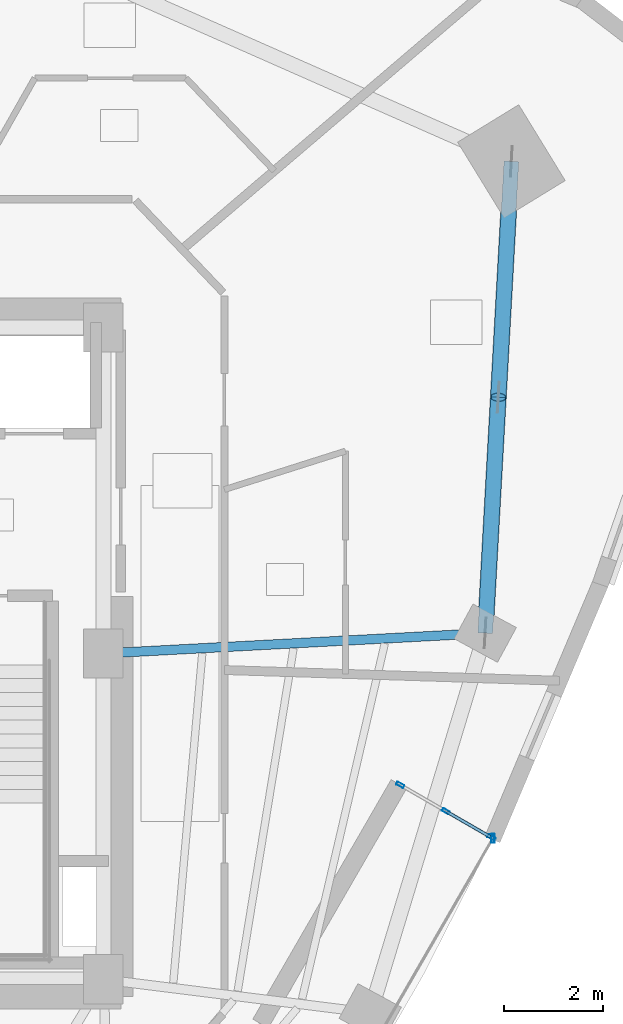
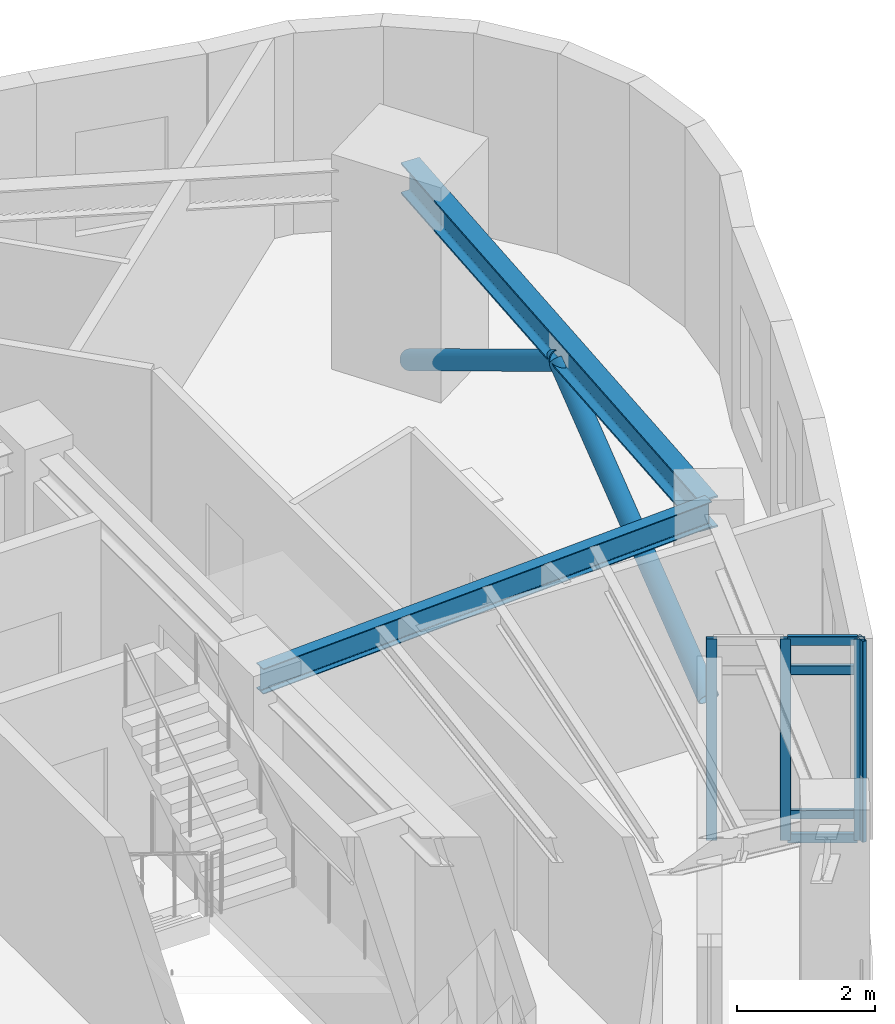
# One storey, part 4 of 12: 10 members, 2 beams, 1 element without a shape of its own.
"""IFC4 building model written with IfcOpenShell, lengths in metres."""

from ifc_helpers import new_model, si_unit, direction, frame, origin, origin_2d, place, context, subcontext, project, spatial, hollow_rectangle, hollow_circle, i_section, extrude, material, layer, layer_set, material_profile, profile_set, type_object, element, aggregate, save


model = new_model("IFC4")

# Units and contexts
model_context = context("Model", 3, precision=1e-05, world=origin(), true_north=direction((0.0, 1.0)))
body_context = subcontext(model_context, "Body", "Model", "MODEL_VIEW")
ifc_project = project(units=[si_unit("LENGTHUNIT", "METRE"), si_unit("AREAUNIT", "SQUARE_METRE"), si_unit("VOLUMEUNIT", "CUBIC_METRE"), si_unit("PLANEANGLEUNIT", "RADIAN"), si_unit("MASSUNIT", "GRAM", prefix="KILO")], contexts=[model_context])

# Site, building, storey
site_placement = place(None, origin())
site = spatial("IfcSite", under=ifc_project, at=site_placement, CompositionType="ELEMENT")
building_placement = place(site_placement, origin())
building = spatial("IfcBuilding", under=site, at=building_placement, Name="Ndelora Gate Hotel", CompositionType="ELEMENT")
storey_placement = place(building_placement, frame((0.0, 0.0, 213.14990234375)))
storey = spatial("IfcBuildingStorey", under=building, at=storey_placement, Name="L53", CompositionType="ELEMENT", Elevation=213.14990234375)

# Beams
ifc_material_1 = material(Name="Steel S355", Category="steel")
ifc_material_profile_1 = material_profile(ifc_material_1, i_section(OverallWidth=0.18994140625, OverallDepth=0.449951171875, WebThickness=0.009521484375, FlangeThickness=0.0146484375, FilletRadius=0.02099609375, at=origin_2d()), Name="IPE 450")
ifc_profile_set_1 = profile_set([ifc_material_profile_1], Name="Steel S355")
beam_type_1 = type_object("IfcBeamType", Name="BM-RAD-450", PredefinedType="BEAM", material=ifc_profile_set_1)
beam_1_placement = place(storey_placement, frame((8.0, 0.0, 3.3251953125), z_axis=(0.998583554121, 0.053206065814, 0.0), x_axis=(-0.053206065814, 0.998583554121, 0.0)))
element("IfcBeam", 1, at=beam_1_placement, inside=storey, type_object=beam_type_1, Name="L53 Radial Floor Girder 8", PredefinedType="BEAM", context=body_context, shape_type="SweptSolid", body=[
    extrude(i_section(OverallWidth=0.18994140625, OverallDepth=0.449951171875, WebThickness=0.009521484375, FlangeThickness=0.0146484375, FilletRadius=0.02099609375, at=origin_2d()), origin(), (0.0, 0.0, 1.0), 7.740966796875),
])
ifc_material_profile_2 = material_profile(ifc_material_1, i_section(OverallWidth=0.300048828125, OverallDepth=0.550048828125, WebThickness=0.014892578125, FlangeThickness=0.029052734375, FilletRadius=0.027099609375, at=origin_2d()), Name="HEB 550")
ifc_profile_set_2 = profile_set([ifc_material_profile_2], Name="Steel S355")
beam_type_2 = type_object("IfcBeamType", Name="BM-RING-550", PredefinedType="SPANDREL", material=ifc_profile_set_2)
beam_2_placement = place(storey_placement, frame((15.72998046875, 0.411865234375, 3.275146484375), z_axis=(0.055426206248, 0.998462786318, 0.0), x_axis=(-0.998462786318, 0.055426206248, 0.0)))
element("IfcBeam", 2, at=beam_2_placement, inside=storey, type_object=beam_type_2, Name="L53 Perimeter Spandrel Girder 8", PredefinedType="SPANDREL", context=body_context, shape_type="SweptSolid", body=[
    extrude(i_section(OverallWidth=0.300048828125, OverallDepth=0.550048828125, WebThickness=0.014892578125, FlangeThickness=0.029052734375, FilletRadius=0.027099609375, at=origin_2d()), origin(), (0.0, 0.0, 1.0), 9.567138671875),
])

# Curtain wall, members
ifc_material_2 = material(Name="Bronze Anodised Unitised Aluminium and Low-E Glass", Category="aluminium")
ifc_layer = layer(ifc_material_2, 0.199951171875)
ifc_layer_set = layer_set([ifc_layer], Name="Bronze Anodised Unitised Aluminium and Low-E Glass")
curtain_wall_type = type_object("IfcCurtainWallType", Name="CW-SYS-3", PredefinedType="NOTDEFINED", material=ifc_layer_set)
curtain_wall_placement = place(storey_placement, origin())
curtain_wall = element("IfcCurtainWall", 3, at=curtain_wall_placement, inside=storey, type_object=curtain_wall_type, Name="L53 Sky-Garden Loggia Side Curtain Wall CW3-2", PredefinedType="NOTDEFINED")
ifc_material_3 = material(Name="Bronze Anodised Aluminium 6063-T6", Category="aluminium")
ifc_material_profile_3 = material_profile(ifc_material_3, hollow_rectangle(XDim=0.06494140625, YDim=0.159912109375, WallThickness=0.00390625, InnerFilletRadius=0.00390625, OuterFilletRadius=0.008056640625, at=origin_2d()), Name="ALU 160x65x4")
ifc_profile_set_3 = profile_set([ifc_material_profile_3], Name="Bronze Anodised Aluminium 6063-T6")
member_type_1 = type_object("IfcMemberType", Name="MB-CW-MUL150", PredefinedType="MULLION", material=ifc_profile_set_3)
member_1_placement = place(storey_placement, frame((15.857666015625, -3.728271484375, -0.00390625), z_axis=(0.0, 0.0, 1.0), x_axis=(-0.499991317892, -0.866030416344, 0.0)))
member_1 = element("IfcMember", 4, at=member_1_placement, type_object=member_type_1, Name="CW3 mullion 1", PredefinedType="MULLION", context=body_context, shape_type="SweptSolid", body=[
    extrude(hollow_rectangle(XDim=0.06494140625, YDim=0.159912109375, WallThickness=0.00390625, InnerFilletRadius=0.00390625, OuterFilletRadius=0.008056640625, at=origin_2d()), origin(), (0.0, 0.0, 1.0), 3.55810546875),
])
member_2_placement = place(storey_placement, frame((14.933349609375, -3.194580078125, -0.00390625), z_axis=(0.0, 0.0, 1.0), x_axis=(-0.499991317892, -0.866030416344, 0.0)))
member_2 = element("IfcMember", 5, at=member_2_placement, type_object=member_type_1, Name="CW3 mullion 2", PredefinedType="MULLION", context=body_context, shape_type="SweptSolid", body=[
    extrude(hollow_rectangle(XDim=0.06494140625, YDim=0.159912109375, WallThickness=0.00390625, InnerFilletRadius=0.00390625, OuterFilletRadius=0.008056640625, at=origin_2d()), origin(), (0.0, 0.0, 1.0), 3.55810546875),
])
member_3_placement = place(storey_placement, frame((14.0087890625, -2.660888671875, -0.00390625), z_axis=(0.0, 0.0, 1.0), x_axis=(-0.499991317892, -0.866030416344, 0.0)))
member_3 = element("IfcMember", 6, at=member_3_placement, type_object=member_type_1, Name="CW3 mullion 3", PredefinedType="MULLION", context=body_context, shape_type="SweptSolid", body=[
    extrude(hollow_rectangle(XDim=0.06494140625, YDim=0.159912109375, WallThickness=0.00390625, InnerFilletRadius=0.00390625, OuterFilletRadius=0.008056640625, at=origin_2d()), origin(), (0.0, 0.0, 1.0), 3.55810546875),
])
ifc_material_profile_4 = material_profile(ifc_material_3, hollow_rectangle(XDim=0.070068359375, YDim=0.179931640625, WallThickness=0.0048828125, InnerFilletRadius=0.0048828125, OuterFilletRadius=0.010009765625, at=origin_2d()), Name="ALU 180x70x5")
ifc_profile_set_4 = profile_set([ifc_material_profile_4], Name="Bronze Anodised Aluminium 6063-T6")
member_type_2 = type_object("IfcMemberType", Name="MB-CW-MUL180", PredefinedType="MULLION", material=ifc_profile_set_4)
member_4_placement = place(storey_placement, frame((15.885986328125, -3.74462890625, 0.0), z_axis=(0.0, 0.0, 1.0), x_axis=(1.0, 0.0, 0.0)))
member_4 = element("IfcMember", 7, at=member_4_placement, type_object=member_type_2, Name="L53 Sky-Garden Loggia Corner Mullion Post 2", PredefinedType="MULLION", context=body_context, shape_type="SweptSolid", body=[
    extrude(hollow_rectangle(XDim=0.070068359375, YDim=0.179931640625, WallThickness=0.0048828125, InnerFilletRadius=0.0048828125, OuterFilletRadius=0.010009765625, at=origin_2d()), origin(), (0.0, 0.0, 1.0), 3.550048828125),
])
ifc_material_profile_5 = material_profile(ifc_material_3, hollow_rectangle(XDim=0.06494140625, YDim=0.159912109375, WallThickness=0.00390625, InnerFilletRadius=0.00390625, OuterFilletRadius=0.008056640625, at=origin_2d()), Name="ALU 160x65x4")
ifc_profile_set_5 = profile_set([ifc_material_profile_5], Name="Bronze Anodised Aluminium 6063-T6")
member_type_3 = type_object("IfcMemberType", Name="MB-CW-TRN150", PredefinedType="USERDEFINED", material=ifc_profile_set_5)
member_5_placement = place(storey_placement, frame((15.834716796875, -3.715087890625, 0.03271484375), z_axis=(-0.865953096906, 0.50012521828, 0.0), x_axis=(-0.50012521828, -0.865953096906, 0.0)))
member_5 = element("IfcMember", 8, at=member_5_placement, type_object=member_type_3, Name="CW3 transom 1.1", ObjectType="TRANSOM", PredefinedType="USERDEFINED", context=body_context, shape_type="SweptSolid", body=[
    extrude(hollow_rectangle(XDim=0.06494140625, YDim=0.159912109375, WallThickness=0.00390625, InnerFilletRadius=0.00390625, OuterFilletRadius=0.008056640625, at=origin_2d()), origin(), (0.0, 0.0, 1.0), 1.014404296875),
])
member_6_placement = place(storey_placement, frame((15.834716796875, -3.715087890625, 0.4501953125), z_axis=(-0.865953096906, 0.50012521828, 0.0), x_axis=(-0.50012521828, -0.865953096906, 0.0)))
member_6 = element("IfcMember", 9, at=member_6_placement, type_object=member_type_3, Name="CW3 transom 1.2", ObjectType="TRANSOM", PredefinedType="USERDEFINED", context=body_context, shape_type="SweptSolid", body=[
    extrude(hollow_rectangle(XDim=0.06494140625, YDim=0.159912109375, WallThickness=0.00390625, InnerFilletRadius=0.00390625, OuterFilletRadius=0.008056640625, at=origin_2d()), origin(), (0.0, 0.0, 1.0), 1.014404296875),
])
member_7_placement = place(storey_placement, frame((15.834716796875, -3.715087890625, 3.0), z_axis=(-0.865953096906, 0.50012521828, 0.0), x_axis=(-0.50012521828, -0.865953096906, 0.0)))
member_7 = element("IfcMember", 10, at=member_7_placement, type_object=member_type_3, Name="CW3 transom 1.3", ObjectType="TRANSOM", PredefinedType="USERDEFINED", context=body_context, shape_type="SweptSolid", body=[
    extrude(hollow_rectangle(XDim=0.06494140625, YDim=0.159912109375, WallThickness=0.00390625, InnerFilletRadius=0.00390625, OuterFilletRadius=0.008056640625, at=origin_2d()), origin(), (0.0, 0.0, 1.0), 1.014404296875),
])
member_8_placement = place(storey_placement, frame((15.834716796875, -3.715087890625, 3.517578125), z_axis=(-0.865953096906, 0.50012521828, 0.0), x_axis=(-0.50012521828, -0.865953096906, 0.0)))
member_8 = element("IfcMember", 11, at=member_8_placement, type_object=member_type_3, Name="CW3 transom 1.4", ObjectType="TRANSOM", PredefinedType="USERDEFINED", context=body_context, shape_type="SweptSolid", body=[
    extrude(hollow_rectangle(XDim=0.06494140625, YDim=0.159912109375, WallThickness=0.00390625, InnerFilletRadius=0.00390625, OuterFilletRadius=0.008056640625, at=origin_2d()), origin(), (0.0, 0.0, 1.0), 1.014404296875),
])
aggregate(curtain_wall, [member_1, member_2, member_3, member_5, member_6, member_7, member_8, member_4])

# Members
ifc_material_profile_6 = material_profile(ifc_material_1, hollow_circle(Radius=0.161865234375, WallThickness=0.01611328125, at=origin_2d()), Name="CHS 323.9x16")
ifc_profile_set_6 = profile_set([ifc_material_profile_6], Name="Steel S355")
member_type_4 = type_object("IfcMemberType", Name="MB-TUBE-324", PredefinedType="BRACE", material=ifc_profile_set_6)
member_9_placement = place(storey_placement, frame((15.72998046875, 0.411865234375, 0.02001953125), z_axis=(0.047045319089, 0.847465540823, 0.528761661876), x_axis=(-0.99846270792, 0.055427618504, 0.0)))
element("IfcMember", 12, at=member_9_placement, inside=storey, type_object=member_type_4, Name="L53 Perimeter Braced-Tube Diagonal 8A", PredefinedType="BRACE", context=body_context, shape_type="SweptSolid", body=[
    extrude(hollow_circle(Radius=0.161865234375, WallThickness=0.01611328125, at=origin_2d()), origin(), (0.0, 0.0, 1.0), 5.6357421875),
])
member_10_placement = place(storey_placement, frame((16.26025390625, 9.96435546875, 0.02001953125), z_axis=(-0.04704359201, -0.847477747768, 0.528742250524), x_axis=(0.998462864709, -0.055424794064, 0.0)))
element("IfcMember", 13, at=member_10_placement, inside=storey, type_object=member_type_4, Name="L53 Perimeter Braced-Tube Diagonal 8B", PredefinedType="BRACE", context=body_context, shape_type="SweptSolid", body=[
    extrude(hollow_circle(Radius=0.161865234375, WallThickness=0.01611328125, at=origin_2d()), origin(), (0.0, 0.0, 1.0), 5.635986328125),
])

save(model, "model.ifc")
